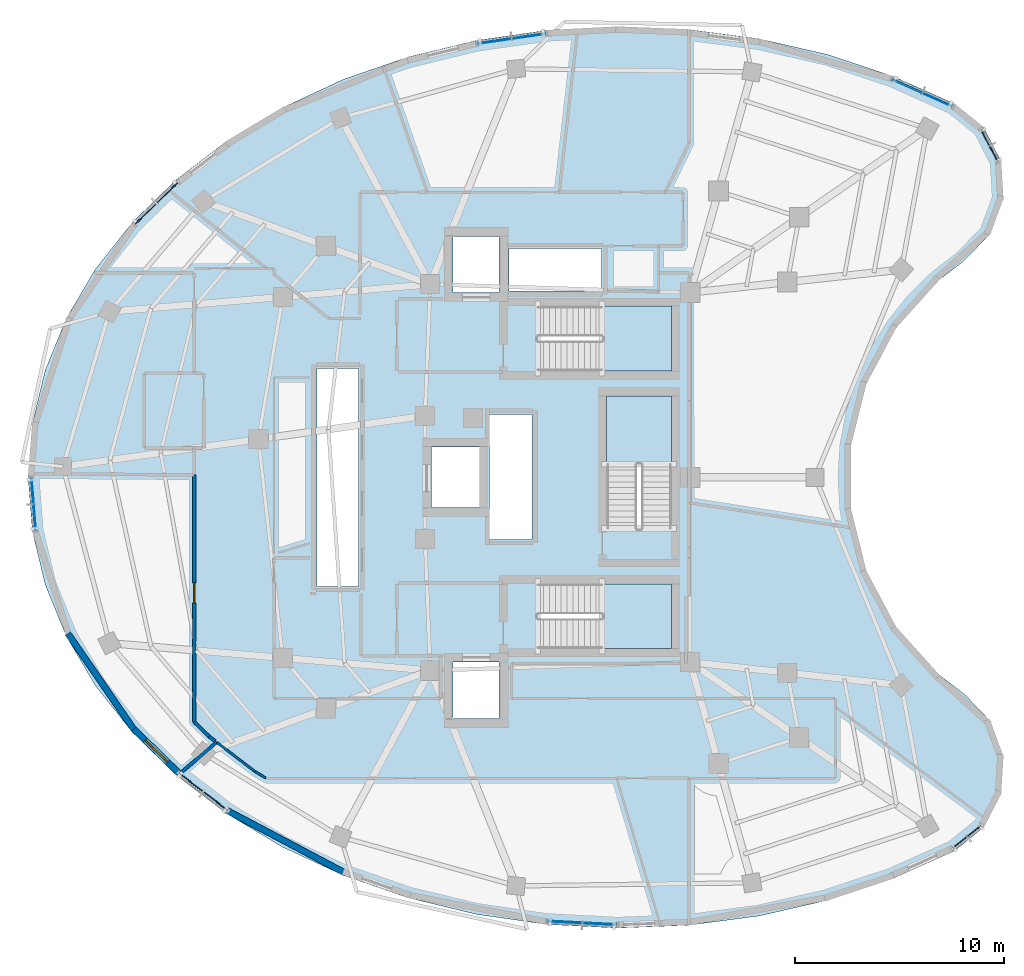
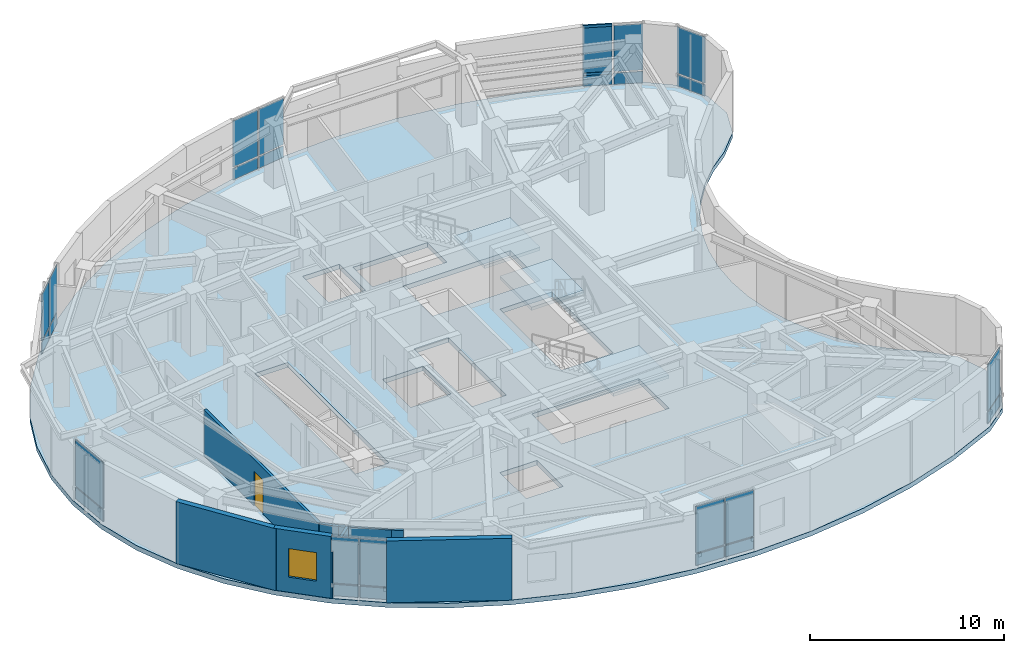
# One storey, part 6 of 13: 26 plates, 9 walls, 4 slabs, 2 members, 1 door, 1 window, 2 openings, 11 elements without a shape of their own.
"""IFC4 building model written with IfcOpenShell, lengths in metres."""

from ifc_helpers import new_model, si_unit, direction, frame, frame_2d, origin, origin_2d, place, context, subcontext, project, spatial, polyline, rectangle, outline, extrude, material, layer, layer_set, material_profile, profile_set, type_object, element, fill, aggregate, save


model = new_model("IFC4")

# Units and contexts
model_context = context("Model", 3, precision=1e-05, world=origin(), true_north=direction((0.0, 1.0)))
body_context = subcontext(model_context, "Body", "Model", "MODEL_VIEW")
ifc_project = project(units=[si_unit("LENGTHUNIT", "METRE"), si_unit("AREAUNIT", "SQUARE_METRE"), si_unit("VOLUMEUNIT", "CUBIC_METRE"), si_unit("PLANEANGLEUNIT", "RADIAN"), si_unit("MASSUNIT", "GRAM", prefix="KILO")], contexts=[model_context])

# Site, building, storey
site_placement = place(None, origin())
site = spatial("IfcSite", under=ifc_project, at=site_placement, CompositionType="ELEMENT")
building_placement = place(site_placement, origin())
building = spatial("IfcBuilding", under=site, at=building_placement, Name="Korentha Bioscience Tower", CompositionType="ELEMENT")
storey_placement = place(building_placement, frame((0.0, 0.0, 243.60009765625)))
storey = spatial("IfcBuildingStorey", under=building, at=storey_placement, Name="L56", CompositionType="ELEMENT", Elevation=243.60009765625)

# Curtain wall, members, plates
ifc_material_1 = material(Name="Thermally Broken Aluminium Frame", Category="aluminium")
ifc_layer_1 = layer(ifc_material_1, 0.219970703125, Name="Thermally Broken Aluminium Frame")
ifc_layer_set_1 = layer_set([ifc_layer_1], Name="Thermally Broken Aluminium Frame (CW-T2)")
curtain_wall_type = type_object("IfcCurtainWallType", Name="Solar-Screened Lab Unitised Curtain Wall CW-T2", PredefinedType="USERDEFINED", material=ifc_layer_set_1)
curtain_wall_1_placement = place(storey_placement, origin())
curtain_wall_1 = element("IfcCurtainWall", 1, at=curtain_wall_1_placement, inside=storey, type_object=curtain_wall_type, Name="L56 Curtain Wall 01", ObjectType="UNITISED", PredefinedType="USERDEFINED")
ifc_material_2 = material(Name="Anodised Aluminium 6063-T6", Category="aluminium")
ifc_material_profile = material_profile(ifc_material_2, rectangle(XDim=0.090087890625, YDim=0.159912109375, at=origin_2d()), Name="Anodised Aluminium 6063-T6")
ifc_profile_set = profile_set([ifc_material_profile], Name="Anodised Aluminium 6063-T6 (CW-TRN)")
member_type = type_object("IfcMemberType", Name="Transom RECT 90x160", PredefinedType="USERDEFINED", material=ifc_profile_set)
member_1_placement = place(storey_placement, frame((48.630126953125, 45.43408203125, 0.849853515625), z_axis=(-0.912594152791, 0.408866619194, 0.0), x_axis=(-0.408866619194, -0.912594152791, 0.0)))
member_1 = element("IfcMember", 2, at=member_1_placement, type_object=member_type, Name="CW-L56-01 Bay 2 Transom 2", ObjectType="TRANSOM", PredefinedType="USERDEFINED", context=body_context, shape_type="SweptSolid", body=[
    extrude(rectangle(XDim=0.090087890625, YDim=0.159912109375, at=origin_2d()), origin(), (0.0, 0.0, 1.0), 1.5185546875),
])
member_2_placement = place(storey_placement, frame((48.630126953125, 45.43408203125, 3.85498046875), z_axis=(-0.912594152791, 0.408866619194, 0.0), x_axis=(-0.408866619194, -0.912594152791, 0.0)))
member_2 = element("IfcMember", 3, at=member_2_placement, type_object=member_type, Name="CW-L56-01 Bay 2 Transom 3", ObjectType="TRANSOM", PredefinedType="USERDEFINED", context=body_context, shape_type="SweptSolid", body=[
    extrude(rectangle(XDim=0.090087890625, YDim=0.159912109375, at=origin_2d()), origin(), (0.0, 0.0, 1.0), 1.5185546875),
])
ifc_material_3 = material(Name="Triple-Glazed Low-E Insulated Glass", Category="glass")
ifc_layer_2 = layer(ifc_material_3, 0.0439453125, Name="Triple-Glazed Low-E Insulated Glass")
ifc_layer_set_2 = layer_set([ifc_layer_2], Name="Triple-Glazed Low-E Insulated Glass (GL-44)")
plate_type = type_object("IfcPlateType", Name="Glazed Panel 44mm", PredefinedType="CURTAIN_PANEL", material=ifc_layer_set_2)
plate_1_placement = place(storey_placement, frame((49.4052734375, 45.0869140625, 0.08984375), z_axis=(0.0, 0.0, 1.0), x_axis=(-0.912621774183, 0.408804962405, 0.0)))
plate_1 = element("IfcPlate", 4, at=plate_1_placement, type_object=plate_type, Name="CW-L56-01 Bay 1 Glazed Panel 1", PredefinedType="CURTAIN_PANEL", context=body_context, shape_type="SweptSolid", body=[
    extrude(rectangle(XDim=1.5185546875, YDim=0.0439453125, at=origin_2d()), origin(), (0.0, 0.0, 1.0), 0.715087890625),
])
plate_2_placement = place(storey_placement, frame((49.4052734375, 45.0869140625, 0.894775390625), z_axis=(0.0, 0.0, 1.0), x_axis=(-0.912621774183, 0.408804962405, 0.0)))
plate_2 = element("IfcPlate", 5, at=plate_2_placement, type_object=plate_type, Name="CW-L56-01 Bay 1 Glazed Panel 2", PredefinedType="CURTAIN_PANEL", context=body_context, shape_type="SweptSolid", body=[
    extrude(rectangle(XDim=1.5185546875, YDim=0.0439453125, at=origin_2d()), origin(), (0.0, 0.0, 1.0), 2.9150390625),
])
plate_3_placement = place(storey_placement, frame((47.937255859375, 45.744384765625, 0.08984375), z_axis=(0.0, 0.0, 1.0), x_axis=(-0.912621774183, 0.408804962405, 0.0)))
plate_3 = element("IfcPlate", 6, at=plate_3_placement, type_object=plate_type, Name="CW-L56-01 Bay 2 Glazed Panel 1", PredefinedType="CURTAIN_PANEL", context=body_context, shape_type="SweptSolid", body=[
    extrude(rectangle(XDim=1.5185546875, YDim=0.0439453125, at=origin_2d()), origin(), (0.0, 0.0, 1.0), 0.715087890625),
])
plate_4_placement = place(storey_placement, frame((47.937255859375, 45.744384765625, 0.894775390625), z_axis=(0.0, 0.0, 1.0), x_axis=(-0.912621774183, 0.408804962405, 0.0)))
plate_4 = element("IfcPlate", 7, at=plate_4_placement, type_object=plate_type, Name="CW-L56-01 Bay 2 Glazed Panel 2", PredefinedType="CURTAIN_PANEL", context=body_context, shape_type="SweptSolid", body=[
    extrude(rectangle(XDim=1.5185546875, YDim=0.0439453125, at=origin_2d()), origin(), (0.0, 0.0, 1.0), 2.9150390625),
])
aggregate(curtain_wall_1, [plate_1, plate_2, member_1, member_2, plate_3, plate_4])

# Curtain wall, plates
curtain_wall_2_placement = place(storey_placement, origin())
curtain_wall_2 = element("IfcCurtainWall", 8, at=curtain_wall_2_placement, inside=storey, type_object=curtain_wall_type, Name="L56 Curtain Wall 07", ObjectType="UNITISED", PredefinedType="USERDEFINED")
plate_5_placement = place(storey_placement, frame((29.841796875, 48.13720703125, 0.08984375), z_axis=(0.0, 0.0, 1.0), x_axis=(-0.989728990307, -0.142956377076, 0.0)))
plate_5 = element("IfcPlate", 9, at=plate_5_placement, type_object=plate_type, Name="CW-L56-07 Bay 1 Glazed Panel 1", PredefinedType="CURTAIN_PANEL", context=body_context, shape_type="SweptSolid", body=[
    extrude(rectangle(XDim=1.602294921875, YDim=0.0439453125, at=origin_2d()), origin(), (0.0, 0.0, 1.0), 0.715087890625),
])
plate_6_placement = place(storey_placement, frame((29.841796875, 48.13720703125, 0.894775390625), z_axis=(0.0, 0.0, 1.0), x_axis=(-0.989728990307, -0.142956377076, 0.0)))
plate_6 = element("IfcPlate", 10, at=plate_6_placement, type_object=plate_type, Name="CW-L56-07 Bay 1 Glazed Panel 2", PredefinedType="CURTAIN_PANEL", context=body_context, shape_type="SweptSolid", body=[
    extrude(rectangle(XDim=1.602294921875, YDim=0.0439453125, at=origin_2d()), origin(), (0.0, 0.0, 1.0), 2.9150390625),
])
plate_7_placement = place(storey_placement, frame((28.1669921875, 47.8955078125, 0.08984375), z_axis=(0.0, 0.0, 1.0), x_axis=(-0.989728990307, -0.142956377076, 0.0)))
plate_7 = element("IfcPlate", 11, at=plate_7_placement, type_object=plate_type, Name="CW-L56-07 Bay 2 Glazed Panel 1", PredefinedType="CURTAIN_PANEL", context=body_context, shape_type="SweptSolid", body=[
    extrude(rectangle(XDim=1.602294921875, YDim=0.0439453125, at=origin_2d()), origin(), (0.0, 0.0, 1.0), 0.715087890625),
])
plate_8_placement = place(storey_placement, frame((28.1669921875, 47.8955078125, 0.894775390625), z_axis=(0.0, 0.0, 1.0), x_axis=(-0.989728990307, -0.142956377076, 0.0)))
plate_8 = element("IfcPlate", 12, at=plate_8_placement, type_object=plate_type, Name="CW-L56-07 Bay 2 Glazed Panel 2", PredefinedType="CURTAIN_PANEL", context=body_context, shape_type="SweptSolid", body=[
    extrude(rectangle(XDim=1.602294921875, YDim=0.0439453125, at=origin_2d()), origin(), (0.0, 0.0, 1.0), 2.9150390625),
])
aggregate(curtain_wall_2, [plate_5, plate_6, plate_7, plate_8])

curtain_wall_3_placement = place(storey_placement, origin())
curtain_wall_3 = element("IfcCurtainWall", 13, at=curtain_wall_3_placement, inside=storey, type_object=curtain_wall_type, Name="L56 Curtain Wall 13", ObjectType="UNITISED", PredefinedType="USERDEFINED")
plate_9_placement = place(storey_placement, frame((12.508056640625, 40.63330078125, 0.08984375), z_axis=(0.0, 0.0, 1.0), x_axis=(-0.715993919158, -0.698106516034, 0.0)))
plate_9 = element("IfcPlate", 14, at=plate_9_placement, type_object=plate_type, Name="CW-L56-13 Bay 1 Glazed Panel 1", PredefinedType="CURTAIN_PANEL", context=body_context, shape_type="SweptSolid", body=[
    extrude(rectangle(XDim=1.37158203125, YDim=0.0439453125, at=origin_2d()), origin(), (0.0, 0.0, 1.0), 0.715087890625),
])
plate_10_placement = place(storey_placement, frame((12.508056640625, 40.63330078125, 0.894775390625), z_axis=(0.0, 0.0, 1.0), x_axis=(-0.715993919158, -0.698106516034, 0.0)))
plate_10 = element("IfcPlate", 15, at=plate_10_placement, type_object=plate_type, Name="CW-L56-13 Bay 1 Glazed Panel 2", PredefinedType="CURTAIN_PANEL", context=body_context, shape_type="SweptSolid", body=[
    extrude(rectangle(XDim=1.37158203125, YDim=0.0439453125, at=origin_2d()), origin(), (0.0, 0.0, 1.0), 2.9150390625),
])
plate_11_placement = place(storey_placement, frame((11.46142578125, 39.61279296875, 0.08984375), z_axis=(0.0, 0.0, 1.0), x_axis=(-0.715993919158, -0.698106516034, 0.0)))
plate_11 = element("IfcPlate", 16, at=plate_11_placement, type_object=plate_type, Name="CW-L56-13 Bay 2 Glazed Panel 1", PredefinedType="CURTAIN_PANEL", context=body_context, shape_type="SweptSolid", body=[
    extrude(rectangle(XDim=1.37158203125, YDim=0.0439453125, at=origin_2d()), origin(), (0.0, 0.0, 1.0), 0.715087890625),
])
plate_12_placement = place(storey_placement, frame((11.46142578125, 39.61279296875, 0.894775390625), z_axis=(0.0, 0.0, 1.0), x_axis=(-0.715993919158, -0.698106516034, 0.0)))
plate_12 = element("IfcPlate", 17, at=plate_12_placement, type_object=plate_type, Name="CW-L56-13 Bay 2 Glazed Panel 2", PredefinedType="CURTAIN_PANEL", context=body_context, shape_type="SweptSolid", body=[
    extrude(rectangle(XDim=1.37158203125, YDim=0.0439453125, at=origin_2d()), origin(), (0.0, 0.0, 1.0), 2.9150390625),
])
aggregate(curtain_wall_3, [plate_9, plate_10, plate_11, plate_12])

curtain_wall_4_placement = place(storey_placement, origin())
curtain_wall_4 = element("IfcCurtainWall", 18, at=curtain_wall_4_placement, inside=storey, type_object=curtain_wall_type, Name="L56 Curtain Wall 19", ObjectType="UNITISED", PredefinedType="USERDEFINED")
plate_13_placement = place(storey_placement, frame((6.09521484375, 25.717529296875, 0.08984375), z_axis=(0.0, 0.0, 1.0), x_axis=(0.079117478884, -0.996865299093, 0.0)))
plate_13 = element("IfcPlate", 19, at=plate_13_placement, type_object=plate_type, Name="CW-L56-19 Bay 1 Glazed Panel 1", PredefinedType="CURTAIN_PANEL", context=body_context, shape_type="SweptSolid", body=[
    extrude(rectangle(XDim=2.498291015625, YDim=0.0439453125, at=origin_2d()), origin(), (0.0, 0.0, 1.0), 0.715087890625),
])
plate_14_placement = place(storey_placement, frame((6.09521484375, 25.717529296875, 0.894775390625), z_axis=(0.0, 0.0, 1.0), x_axis=(0.079117478884, -0.996865299093, 0.0)))
plate_14 = element("IfcPlate", 20, at=plate_14_placement, type_object=plate_type, Name="CW-L56-19 Bay 1 Glazed Panel 2", PredefinedType="CURTAIN_PANEL", context=body_context, shape_type="SweptSolid", body=[
    extrude(rectangle(XDim=2.498291015625, YDim=0.0439453125, at=origin_2d()), origin(), (0.0, 0.0, 1.0), 2.9150390625),
])
aggregate(curtain_wall_4, [plate_13, plate_14])

curtain_wall_5_placement = place(storey_placement, origin())
curtain_wall_5 = element("IfcCurtainWall", 21, at=curtain_wall_5_placement, inside=storey, type_object=curtain_wall_type, Name="L56 Curtain Wall 25", ObjectType="UNITISED", PredefinedType="USERDEFINED")
plate_15_placement = place(storey_placement, frame((13.62451171875, 12.403564453125, 0.08984375), z_axis=(0.0, 0.0, 1.0), x_axis=(0.794382455982, -0.607417906904, 0.0)))
plate_15 = element("IfcPlate", 22, at=plate_15_placement, type_object=plate_type, Name="CW-L56-25 Bay 1 Glazed Panel 1", PredefinedType="CURTAIN_PANEL", context=body_context, shape_type="SweptSolid", body=[
    extrude(rectangle(XDim=1.421142578125, YDim=0.0439453125, at=origin_2d()), origin(), (0.0, 0.0, 1.0), 0.715087890625),
])
plate_16_placement = place(storey_placement, frame((13.62451171875, 12.403564453125, 0.894775390625), z_axis=(0.0, 0.0, 1.0), x_axis=(0.794382455982, -0.607417906904, 0.0)))
plate_16 = element("IfcPlate", 23, at=plate_16_placement, type_object=plate_type, Name="CW-L56-25 Bay 1 Glazed Panel 2", PredefinedType="CURTAIN_PANEL", context=body_context, shape_type="SweptSolid", body=[
    extrude(rectangle(XDim=1.421142578125, YDim=0.0439453125, at=origin_2d()), origin(), (0.0, 0.0, 1.0), 2.9150390625),
])
plate_17_placement = place(storey_placement, frame((14.824951171875, 11.485595703125, 0.08984375), z_axis=(0.0, 0.0, 1.0), x_axis=(0.794382455982, -0.607417906904, 0.0)))
plate_17 = element("IfcPlate", 24, at=plate_17_placement, type_object=plate_type, Name="CW-L56-25 Bay 2 Glazed Panel 1", PredefinedType="CURTAIN_PANEL", context=body_context, shape_type="SweptSolid", body=[
    extrude(rectangle(XDim=1.421142578125, YDim=0.0439453125, at=origin_2d()), origin(), (0.0, 0.0, 1.0), 0.715087890625),
])
plate_18_placement = place(storey_placement, frame((14.824951171875, 11.485595703125, 0.894775390625), z_axis=(0.0, 0.0, 1.0), x_axis=(0.794382455982, -0.607417906904, 0.0)))
plate_18 = element("IfcPlate", 25, at=plate_18_placement, type_object=plate_type, Name="CW-L56-25 Bay 2 Glazed Panel 2", PredefinedType="CURTAIN_PANEL", context=body_context, shape_type="SweptSolid", body=[
    extrude(rectangle(XDim=1.421142578125, YDim=0.0439453125, at=origin_2d()), origin(), (0.0, 0.0, 1.0), 2.9150390625),
])
aggregate(curtain_wall_5, [plate_15, plate_16, plate_17, plate_18])

curtain_wall_6_placement = place(storey_placement, origin())
curtain_wall_6 = element("IfcCurtainWall", 26, at=curtain_wall_6_placement, inside=storey, type_object=curtain_wall_type, Name="L56 Curtain Wall 31", ObjectType="UNITISED", PredefinedType="USERDEFINED")
plate_19_placement = place(storey_placement, frame((31.52490234375, 5.6982421875, 0.08984375), z_axis=(0.0, 0.0, 1.0), x_axis=(0.998671032258, -0.051538037689, 0.0)))
plate_19 = element("IfcPlate", 27, at=plate_19_placement, type_object=plate_type, Name="CW-L56-31 Bay 1 Glazed Panel 1", PredefinedType="CURTAIN_PANEL", context=body_context, shape_type="SweptSolid", body=[
    extrude(rectangle(XDim=1.61328125, YDim=0.0439453125, at=origin_2d()), origin(), (0.0, 0.0, 1.0), 0.715087890625),
])
plate_20_placement = place(storey_placement, frame((31.52490234375, 5.6982421875, 0.894775390625), z_axis=(0.0, 0.0, 1.0), x_axis=(0.998671032258, -0.051538037689, 0.0)))
plate_20 = element("IfcPlate", 28, at=plate_20_placement, type_object=plate_type, Name="CW-L56-31 Bay 1 Glazed Panel 2", PredefinedType="CURTAIN_PANEL", context=body_context, shape_type="SweptSolid", body=[
    extrude(rectangle(XDim=1.61328125, YDim=0.0439453125, at=origin_2d()), origin(), (0.0, 0.0, 1.0), 2.9150390625),
])
plate_21_placement = place(storey_placement, frame((33.225830078125, 5.610595703125, 0.08984375), z_axis=(0.0, 0.0, 1.0), x_axis=(0.998671032258, -0.051538037689, 0.0)))
plate_21 = element("IfcPlate", 29, at=plate_21_placement, type_object=plate_type, Name="CW-L56-31 Bay 2 Glazed Panel 1", PredefinedType="CURTAIN_PANEL", context=body_context, shape_type="SweptSolid", body=[
    extrude(rectangle(XDim=1.61328125, YDim=0.0439453125, at=origin_2d()), origin(), (0.0, 0.0, 1.0), 0.715087890625),
])
plate_22_placement = place(storey_placement, frame((33.225830078125, 5.610595703125, 0.894775390625), z_axis=(0.0, 0.0, 1.0), x_axis=(0.998671032258, -0.051538037689, 0.0)))
plate_22 = element("IfcPlate", 30, at=plate_22_placement, type_object=plate_type, Name="CW-L56-31 Bay 2 Glazed Panel 2", PredefinedType="CURTAIN_PANEL", context=body_context, shape_type="SweptSolid", body=[
    extrude(rectangle(XDim=1.61328125, YDim=0.0439453125, at=origin_2d()), origin(), (0.0, 0.0, 1.0), 2.9150390625),
])
aggregate(curtain_wall_6, [plate_19, plate_20, plate_21, plate_22])

curtain_wall_7_placement = place(storey_placement, origin())
curtain_wall_7 = element("IfcCurtainWall", 31, at=curtain_wall_7_placement, inside=storey, type_object=curtain_wall_type, Name="L56 Curtain Wall 37", ObjectType="UNITISED", PredefinedType="USERDEFINED")
plate_23_placement = place(storey_placement, frame((50.810791015625, 9.790771484375, 0.08984375), z_axis=(0.0, 0.0, 1.0), x_axis=(0.777226359638, 0.629221094596, 0.0)))
plate_23 = element("IfcPlate", 32, at=plate_23_placement, type_object=plate_type, Name="CW-L56-37 Bay 1 Glazed Panel 1", PredefinedType="CURTAIN_PANEL", context=body_context, shape_type="SweptSolid", body=[
    extrude(rectangle(XDim=1.70703125, YDim=0.0439453125, at=origin_2d()), origin(), (0.0, 0.0, 1.0), 0.715087890625),
])
plate_24_placement = place(storey_placement, frame((50.810791015625, 9.790771484375, 0.894775390625), z_axis=(0.0, 0.0, 1.0), x_axis=(0.777226359638, 0.629221094596, 0.0)))
plate_24 = element("IfcPlate", 33, at=plate_24_placement, type_object=plate_type, Name="CW-L56-37 Bay 1 Glazed Panel 2", PredefinedType="CURTAIN_PANEL", context=body_context, shape_type="SweptSolid", body=[
    extrude(rectangle(XDim=1.70703125, YDim=0.0439453125, at=origin_2d()), origin(), (0.0, 0.0, 1.0), 2.9150390625),
])
aggregate(curtain_wall_7, [plate_23, plate_24])

curtain_wall_8_placement = place(storey_placement, origin())
curtain_wall_8 = element("IfcCurtainWall", 34, at=curtain_wall_8_placement, inside=storey, type_object=curtain_wall_type, Name="L56 Curtain Wall 61", ObjectType="UNITISED", PredefinedType="USERDEFINED")
plate_25_placement = place(storey_placement, frame((51.885009765625, 42.888671875, 0.08984375), z_axis=(0.0, 0.0, 1.0), x_axis=(-0.457569503198, 0.889173857996, 0.0)))
plate_25 = element("IfcPlate", 35, at=plate_25_placement, type_object=plate_type, Name="CW-L56-61 Bay 1 Glazed Panel 1", PredefinedType="CURTAIN_PANEL", context=body_context, shape_type="SweptSolid", body=[
    extrude(rectangle(XDim=1.70703125, YDim=0.0439453125, at=origin_2d()), origin(), (0.0, 0.0, 1.0), 0.715087890625),
])
plate_26_placement = place(storey_placement, frame((51.885009765625, 42.888671875, 0.894775390625), z_axis=(0.0, 0.0, 1.0), x_axis=(-0.457569503198, 0.889173857996, 0.0)))
plate_26 = element("IfcPlate", 36, at=plate_26_placement, type_object=plate_type, Name="CW-L56-61 Bay 1 Glazed Panel 2", PredefinedType="CURTAIN_PANEL", context=body_context, shape_type="SweptSolid", body=[
    extrude(rectangle(XDim=1.70703125, YDim=0.0439453125, at=origin_2d()), origin(), (0.0, 0.0, 1.0), 2.9150390625),
])
aggregate(curtain_wall_8, [plate_25, plate_26])

# Slab
ifc_material_4 = material(Name="Concrete C50", Category="concrete")
ifc_layer_3 = layer(ifc_material_4, 0.300048828125, Name="Concrete C50")
ifc_layer_set_3 = layer_set([ifc_layer_3], Name="Concrete C50 (SL-L300)")
slab_type_1 = type_object("IfcSlabType", Name="Laboratory Vibration-Controlled Slab 300", PredefinedType="FLOOR", material=ifc_layer_set_3)
slab_1_placement = place(storey_placement, frame((0.0, 0.0, -0.300048828125)))
element("IfcSlab", 37, at=slab_1_placement, inside=storey, type_object=slab_type_1, Name="L56 Tower Structural Floor Slab", PredefinedType="FLOOR", context=body_context, shape_type="SweptSolid", body=[
    extrude(outline(polyline([(50.209228515625, 44.902099609375), (47.26416015625, 46.22119140625), (44.1318359375, 47.262939453125), (40.857666015625, 48.011962890625), (37.488525390625, 48.45751953125), (34.0732421875, 48.593505859375), (30.6611328125, 48.41748046875), (27.301513671875, 47.93212890625), (24.04296875, 47.144775390625), (20.932373046875, 46.06640625), (18.0146484375, 44.712890625), (15.33203125, 43.103515625), (12.923095703125, 41.261474609375), (10.822998046875, 39.213623046875), (9.0615234375, 36.989501953125), (7.66455078125, 34.62109375), (6.65185546875, 32.142822265625), (6.03857421875, 29.590087890625), (5.8330078125, 27.0), (6.03857421875, 24.409912109375), (6.65185546875, 21.857177734375), (7.66455078125, 19.37890625), (9.0615234375, 17.010498046875), (10.822998046875, 14.786376953125), (12.923095703125, 12.738525390625), (15.33203125, 10.896484375), (18.0146484375, 9.287109375), (20.932373046875, 7.93359375), (24.04296875, 6.855224609375), (27.301513671875, 6.06787109375), (30.6611328125, 5.58251953125), (34.0732421875, 5.406494140625), (37.488525390625, 5.54248046875), (40.857666015625, 5.988037109375), (44.1318359375, 6.737060546875), (47.26416015625, 7.77880859375), (50.209228515625, 9.097900390625), (51.61376953125, 10.23486328125), (52.440673828125, 11.841552734375), (52.54931640625, 13.6455078125), (51.92138671875, 15.340087890625), (50.66357421875, 16.637451171875), (49.452880859375, 17.56640625), (48.3642578125, 18.63623046875), (47.414306640625, 19.83056640625), (46.616943359375, 21.1318359375), (45.98388671875, 22.5205078125), (45.525146484375, 23.97607421875), (45.246826171875, 25.476806640625), (45.15380859375, 27.0), (45.246826171875, 28.523193359375), (45.525146484375, 30.02392578125), (45.98388671875, 31.4794921875), (46.616943359375, 32.8681640625), (47.414306640625, 34.16943359375), (48.3642578125, 35.36376953125), (49.452880859375, 36.43359375), (50.66357421875, 37.362548828125), (51.92138671875, 38.659912109375), (52.54931640625, 40.3544921875), (52.440673828125, 42.158447265625), (51.61376953125, 43.76513671875), (50.209228515625, 44.902099609375)]), holes=[polyline([(30.25, 32.10009765625), (36.64990234375, 32.10009765625), (36.64990234375, 35.199951171875), (30.25, 35.199951171875), (30.25, 32.10009765625)]), polyline([(30.25, 18.800048828125), (36.64990234375, 18.800048828125), (36.64990234375, 21.89990234375), (30.25, 21.89990234375), (30.25, 18.800048828125)]), polyline([(36.64990234375, 24.550048828125), (36.64990234375, 30.89990234375), (33.550048828125, 30.89990234375), (33.550048828125, 24.550048828125), (36.64990234375, 24.550048828125)]), polyline([(19.679931640625, 21.780029296875), (21.669921875, 21.780029296875), (21.669921875, 32.219970703125), (19.679931640625, 32.219970703125), (19.679931640625, 21.780029296875)]), polyline([(27.929931640625, 24.030029296875), (29.969970703125, 24.030029296875), (29.969970703125, 30.02001953125), (27.929931640625, 30.02001953125), (27.929931640625, 24.030029296875)]), polyline([(28.860107421875, 35.93994140625), (33.31005859375, 35.93994140625), (33.31005859375, 37.9599609375), (28.860107421875, 37.9599609375), (28.860107421875, 35.93994140625)]), polyline([(26.199951171875, 15.449951171875), (28.39990234375, 15.449951171875), (28.39990234375, 18.14990234375), (26.199951171875, 18.14990234375), (26.199951171875, 15.449951171875)]), polyline([(26.199951171875, 35.85009765625), (28.39990234375, 35.85009765625), (28.39990234375, 38.550048828125), (26.199951171875, 38.550048828125), (26.199951171875, 35.85009765625)]), polyline([(25.14990234375, 25.550048828125), (27.550048828125, 25.550048828125), (27.550048828125, 28.449951171875), (25.14990234375, 28.449951171875), (25.14990234375, 25.550048828125)])]), origin(), (0.0, 0.0, 1.0), 0.300048828125),
])

# Stair, slab
ifc_material_5 = material(Name="Precast Concrete C50", Category="concrete")
stair_type = type_object("IfcStairType", Name="Core Exit Dog-Leg Stair 1450", PredefinedType="HALF_TURN_STAIR", material=ifc_material_5)
stair_1_placement = place(storey_placement, origin())
stair_1 = element("IfcStair", 38, at=stair_1_placement, inside=storey, type_object=stair_type, Name="L56 Tower North Pressurized Exit Stair ST-1", PredefinedType="HALF_TURN_STAIR")
ifc_layer_4 = layer(ifc_material_4, 0.199951171875, Name="Concrete C50")
ifc_layer_set_4 = layer_set([ifc_layer_4], Name="Concrete C50 (SL-LND)")
slab_type_2 = type_object("IfcSlabType", Name="Landing Slab 200", PredefinedType="LANDING", material=ifc_layer_set_4)
slab_2_placement = place(storey_placement, frame((0.0, 0.0, 1.89990234375)))
slab_2 = element("IfcSlab", 39, at=slab_2_placement, type_object=slab_type_2, Name="ST-1 landing 1", PredefinedType="LANDING", context=body_context, shape_type="SweptSolid", body=[
    extrude(outline(polyline([(33.330078125, 32.10009765625), (36.64990234375, 32.10009765625), (36.64990234375, 35.199951171875), (33.330078125, 35.199951171875), (33.330078125, 32.10009765625)])), origin(), (0.0, 0.0, 1.0), 0.199951171875),
])
aggregate(stair_1, [slab_2])

stair_2_placement = place(storey_placement, origin())
stair_2 = element("IfcStair", 40, at=stair_2_placement, inside=storey, type_object=stair_type, Name="L56 Tower South Pressurized Exit Stair ST-2", PredefinedType="HALF_TURN_STAIR")
slab_3_placement = place(storey_placement, frame((0.0, 0.0, 1.89990234375)))
slab_3 = element("IfcSlab", 41, at=slab_3_placement, type_object=slab_type_2, Name="ST-2 landing 1", PredefinedType="LANDING", context=body_context, shape_type="SweptSolid", body=[
    extrude(outline(polyline([(33.330078125, 18.800048828125), (36.64990234375, 18.800048828125), (36.64990234375, 21.89990234375), (33.330078125, 21.89990234375), (33.330078125, 18.800048828125)])), origin(), (0.0, 0.0, 1.0), 0.199951171875),
])
aggregate(stair_2, [slab_3])

stair_3_placement = place(storey_placement, origin())
stair_3 = element("IfcStair", 42, at=stair_3_placement, inside=storey, type_object=stair_type, Name="L56 Tower Central Pressurized Exit Stair ST-3", PredefinedType="HALF_TURN_STAIR")
slab_4_placement = place(storey_placement, frame((0.0, 0.0, 1.89990234375)))
slab_4 = element("IfcSlab", 43, at=slab_4_placement, type_object=slab_type_2, Name="ST-3 landing 1", PredefinedType="LANDING", context=body_context, shape_type="SweptSolid", body=[
    extrude(outline(polyline([(36.64990234375, 27.6298828125), (36.64990234375, 30.89990234375), (33.550048828125, 30.89990234375), (33.550048828125, 27.6298828125), (36.64990234375, 27.6298828125)])), origin(), (0.0, 0.0, 1.0), 0.199951171875),
])
aggregate(stair_3, [slab_4])

# Walls
ifc_material_6 = material(Name="Fire-Rated Framed Glass", Category="glass")
ifc_layer_5 = layer(ifc_material_6, 0.110107421875, Name="Fire-Rated Framed Glass")
ifc_layer_set_5 = layer_set([ifc_layer_5], Name="Fire-Rated Framed Glass (IW-G110)")
wall_type_1 = type_object("IfcWallType", Name="Demountable Glazed Office Partition 110", PredefinedType="MOVABLE", material=ifc_layer_set_5)
wall_1_placement = place(storey_placement, frame((14.8740234375, 14.305908203125, 0.0), z_axis=(0.0, 0.0, 1.0), x_axis=(0.794366882066, -0.607438273965, 0.0)))
element("IfcWall", 44, at=wall_1_placement, inside=storey, type_object=wall_type_1, Name="L56 Interior Partition 033", PredefinedType="MOVABLE", context=body_context, shape_type="SweptSolid", body=[
    extrude(rectangle(XDim=2.29736328125, YDim=0.110107421875, at=frame_2d((1.148681640625, 0.0))), origin(), (0.0, 0.0, 1.0), 2.909912109375),
])
wall_2_placement = place(storey_placement, frame((16.699951171875, 12.90966796875, 0.0), z_axis=(0.0, 0.0, 1.0), x_axis=(0.857458106414, -0.514553783141, 0.0)))
element("IfcWall", 45, at=wall_2_placement, inside=storey, type_object=wall_type_1, Name="L56 Interior Partition 034", PredefinedType="MOVABLE", context=body_context, shape_type="SweptSolid", body=[
    extrude(rectangle(XDim=0.61865234375, YDim=0.110107421875, at=frame_2d((0.309326171875, 0.0))), origin(), (0.0, 0.0, 1.0), 2.909912109375),
])

# Wall, opening, door
ifc_material_7 = material(Name="Gypsum-Clad Steel Stud", Category="steel")
ifc_layer_6 = layer(ifc_material_7, 0.159912109375, Name="Gypsum-Clad Steel Stud")
ifc_layer_set_6 = layer_set([ifc_layer_6], Name="Gypsum-Clad Steel Stud (IW-C160)")
wall_type_2 = type_object("IfcWallType", Name="Fire-Rated Corridor Partition Wall 160", PredefinedType="PARTITIONING", material=ifc_layer_set_6)
wall_3_placement = place(storey_placement, frame((13.7900390625, 27.1171875, 0.0), z_axis=(0.0, 0.0, 1.0), x_axis=(0.0, -1.0, 0.0)))
wall_3 = element("IfcWall", 46, at=wall_3_placement, inside=storey, type_object=wall_type_2, Name="L56 Biospecimen Archive Store 01 Entrance Wall", PredefinedType="PARTITIONING", context=body_context, shape_type="SweptSolid", body=[
    extrude(rectangle(XDim=11.82568359375, YDim=0.159912109375, at=frame_2d((5.912841796875, 0.0))), origin(), (0.0, 0.0, 1.0), 2.909912109375),
])
opening_1_placement = place(wall_3_placement, frame((5.173583984375, 0.0, 0.0)))
opening_1 = element("IfcOpeningElement", 47, at=opening_1_placement, cuts=wall_3, Name="Opening ID-10L", PredefinedType="OPENING", context=body_context, shape_type="SweptSolid", body=[
    extrude(rectangle(XDim=0.949951171875, YDim=2.14990234375, at=frame_2d((0.47509765625, 1.074951171875))), frame((0.0, 0.0947265625, 0.0), z_axis=(0.0, -1.0, 0.0), x_axis=(1.0, 0.0, 0.0)), (0.0, 0.0, 1.0), 0.189697265625),
])
ifc_material_8 = material(Name="Phenolic Laminate Timber Core", Category="wood")
door_type = type_object("IfcDoorType", Name="Laboratory Single Leaf Door 950x2150 Left", OperationType="SINGLE_SWING_LEFT", PredefinedType="DOOR", material=ifc_material_8)
door_placement = place(opening_1_placement, origin())
door = element("IfcDoor", 48, at=door_placement, inside=storey, type_object=door_type, Name="L56 Biospecimen Archive Store 01 Door", OperationType="SINGLE_SWING_LEFT", OverallHeight=2.14990234375, OverallWidth=0.949951171875, PredefinedType="DOOR", context=body_context, shape_type="SweptSolid", body=[
    extrude(rectangle(XDim=0.949951171875, YDim=2.14990234375, at=frame_2d((0.47509765625, 1.074951171875))), frame((0.0, 0.02490234375, 0.0), z_axis=(0.0, -1.0, 0.0), x_axis=(1.0, 0.0, 0.0)), (0.0, 0.0, 1.0), 0.050048828125),
])
fill(opening_1, door)

# Walls
wall_4_placement = place(storey_placement, frame((13.79296875, 15.2841796875, 0.0), z_axis=(0.0, 0.0, 1.0), x_axis=(0.7160122468, -0.698087718294, 0.0)))
element("IfcWall", 49, at=wall_4_placement, inside=storey, type_object=wall_type_2, Name="L56 Interior Partition 024", PredefinedType="PARTITIONING", context=body_context, shape_type="SweptSolid", body=[
    extrude(rectangle(XDim=1.0078125, YDim=0.159912109375, at=frame_2d((0.50390625, 0.0))), origin(), (0.0, 0.0, 1.0), 2.909912109375),
])
wall_5_placement = place(storey_placement, frame((14.515625, 14.579833984375, 0.0), z_axis=(0.0, 0.0, 1.0), x_axis=(0.794124394036, -0.607755252381, 0.0)))
element("IfcWall", 50, at=wall_5_placement, inside=storey, type_object=wall_type_2, Name="L56 Interior Partition 025", PredefinedType="PARTITIONING", context=body_context, shape_type="SweptSolid", body=[
    extrude(rectangle(XDim=0.356201171875, YDim=0.159912109375, at=frame_2d((0.17822265625, 0.0))), origin(), (0.0, 0.0, 1.0), 2.909912109375),
])
wall_6_placement = place(storey_placement, frame((14.8662109375, 14.311767578125, 0.0), z_axis=(0.0, 0.0, 1.0), x_axis=(-0.760432930585, -0.649416475062, 0.0)))
element("IfcWall", 51, at=wall_6_placement, inside=storey, type_object=wall_type_2, Name="L56 Interior Partition 026", PredefinedType="PARTITIONING", context=body_context, shape_type="SweptSolid", body=[
    extrude(rectangle(XDim=2.458740234375, YDim=0.159912109375, at=frame_2d((1.2294921875, 0.0))), origin(), (0.0, 0.0, 1.0), 2.909912109375),
])

# Wall, opening, window
ifc_material_9 = material(Name="Honed Limestone Precast Concrete C40", Category="masonry")
ifc_layer_7 = layer(ifc_material_9, 0.300048828125, Name="Honed Limestone Precast Concrete C40")
ifc_layer_set_7 = layer_set([ifc_layer_7], Name="Honed Limestone Precast Concrete C40 (EW-ST300)")
wall_type_3 = type_object("IfcWallType", Name="Honed Limestone Cavity Spandrel Wall 300", PredefinedType="STANDARD", material=ifc_layer_set_7)
wall_7_placement = place(storey_placement, frame((10.8916015625, 14.94287109375, 0.0), z_axis=(0.0, 0.0, 1.0), x_axis=(0.716005135245, -0.698095012375, 0.0)))
wall_7 = element("IfcWall", 52, at=wall_7_placement, inside=storey, type_object=wall_type_3, Name="L56 Honed Limestone Spandrel Wall 24", PredefinedType="STANDARD", context=body_context, shape_type="SweptSolid", body=[
    extrude(rectangle(XDim=3.053466796875, YDim=0.300048828125, at=frame_2d((1.52685546875, 0.0))), origin(), (0.0, 0.0, 1.0), 3.89990234375),
])
opening_2_placement = place(wall_7_placement, frame((0.776611328125, 0.0, 0.949951171875)))
opening_2 = element("IfcOpeningElement", 53, at=opening_2_placement, cuts=wall_7, Name="Opening WN-02", PredefinedType="OPENING", context=body_context, shape_type="SweptSolid", body=[
    extrude(rectangle(XDim=1.5, YDim=1.800048828125, at=frame_2d((0.75, 0.89990234375))), frame((0.0, 0.1650390625, 0.0), z_axis=(0.0, -1.0, 0.0), x_axis=(1.0, 0.0, 0.0)), (0.0, 0.0, 1.0), 0.329833984375),
])
ifc_material_10 = material(Name="Thermally Broken Aluminium Triple Glazing", Category="aluminium")
window_type = type_object("IfcWindowType", Name="Acoustic Operable Office Window 1500x1800", PartitioningType="DOUBLE_PANEL_VERTICAL", PredefinedType="WINDOW", material=ifc_material_10)
window_placement = place(opening_2_placement, origin())
window = element("IfcWindow", 54, at=window_placement, inside=storey, type_object=window_type, Name="L56 Facade Window 24", OverallHeight=1.800048828125, OverallWidth=1.5, PartitioningType="DOUBLE_PANEL_VERTICAL", PredefinedType="WINDOW", context=body_context, shape_type="SweptSolid", body=[
    extrude(rectangle(XDim=1.5, YDim=1.800048828125, at=frame_2d((0.75, 0.89990234375))), frame((0.0, 0.030029296875, 0.0), z_axis=(0.0, -1.0, 0.0), x_axis=(1.0, 0.0, 0.0)), (0.0, 0.0, 1.0), 0.06005859375),
])
fill(opening_2, window)

# Walls
wall_8_placement = place(storey_placement, frame((7.734619140625, 19.52392578125, 0.0), z_axis=(0.0, 0.0, 1.0), x_axis=(0.566669772846, -0.823945003349, 0.0)))
element("IfcWall", 55, at=wall_8_placement, inside=storey, type_object=wall_type_3, Name="L56 Limestone Perimeter Closure Wall 22", PredefinedType="STANDARD", context=body_context, shape_type="SweptSolid", body=[
    extrude(rectangle(XDim=5.733642578125, YDim=0.300048828125, at=frame_2d((2.86669921875, 0.0))), origin(), (0.0, 0.0, 1.0), 3.89990234375),
])
wall_9_placement = place(storey_placement, frame((15.326904296875, 11.057861328125, 0.0), z_axis=(0.0, 0.0, 1.0), x_axis=(0.883907649271, -0.467661488216, 0.0)))
element("IfcWall", 56, at=wall_9_placement, inside=storey, type_object=wall_type_3, Name="L56 Limestone Perimeter Closure Wall 26", PredefinedType="STANDARD", context=body_context, shape_type="SweptSolid", body=[
    extrude(rectangle(XDim=6.495849609375, YDim=0.300048828125, at=frame_2d((3.248046875, 0.0))), origin(), (0.0, 0.0, 1.0), 3.89990234375),
])

save(model, "model.ifc")
